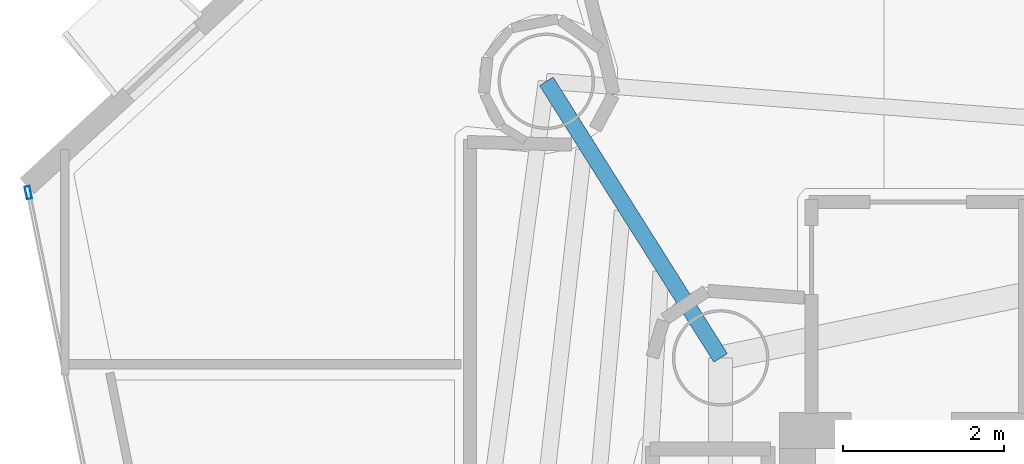
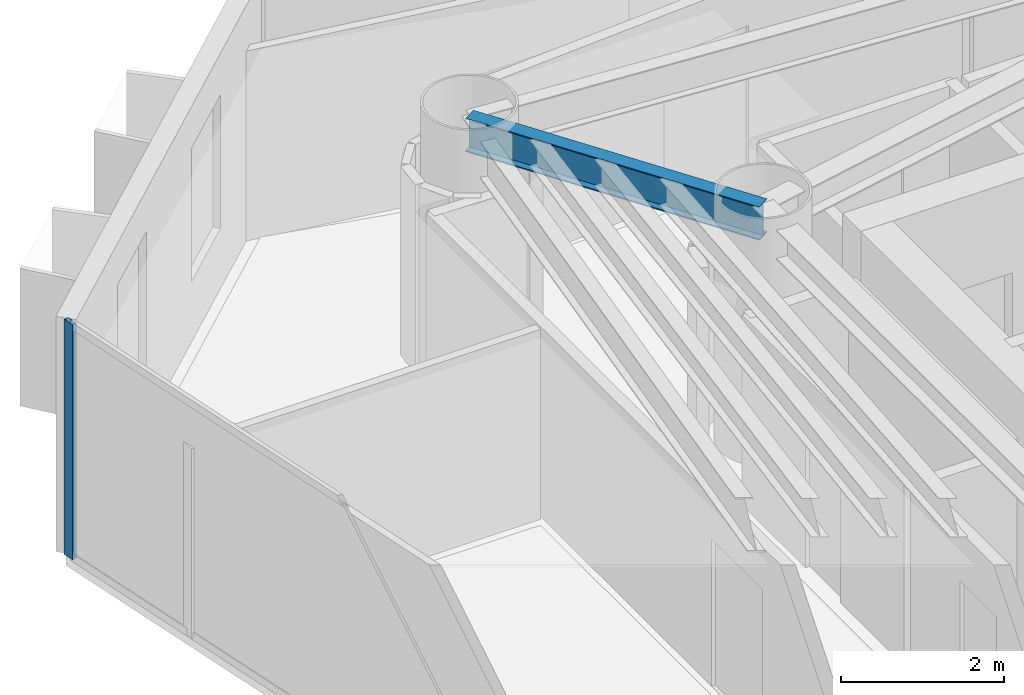
# One storey, part 10 of 22: 1 beam, 1 member, 1 element without a shape of its own.
"""IFC4 building model written with IfcOpenShell, lengths in metres."""

from ifc_helpers import new_model, si_unit, direction, frame, origin, origin_2d, place, context, subcontext, project, spatial, hollow_rectangle, i_section, extrude, material, layer, layer_set, material_profile, profile_set, type_object, element, aggregate, save


model = new_model("IFC4")

# Units and contexts
model_context = context("Model", 3, precision=1e-05, world=origin(), true_north=direction((0.0, 1.0)))
body_context = subcontext(model_context, "Body", "Model", "MODEL_VIEW")
ifc_project = project(units=[si_unit("LENGTHUNIT", "METRE"), si_unit("AREAUNIT", "SQUARE_METRE"), si_unit("VOLUMEUNIT", "CUBIC_METRE"), si_unit("PLANEANGLEUNIT", "RADIAN"), si_unit("MASSUNIT", "GRAM", prefix="KILO")], contexts=[model_context])

# Site, building, storey
site_placement = place(None, origin())
site = spatial("IfcSite", under=ifc_project, at=site_placement, CompositionType="ELEMENT")
building_placement = place(site_placement, origin())
building = spatial("IfcBuilding", under=site, at=building_placement, Name="Qianvela Tower", CompositionType="ELEMENT")
storey_placement = place(building_placement, frame((0.0, 0.0, 196.60009765625)))
storey = spatial("IfcBuildingStorey", under=building, at=storey_placement, Name="L50", CompositionType="ELEMENT", Elevation=196.60009765625)

# Beam
ifc_material_1 = material(Name="Steel Q355B", Category="steel")
ifc_material_profile_1 = material_profile(ifc_material_1, i_section(OverallWidth=0.199951171875, OverallDepth=0.5, WebThickness=0.010009765625, FlangeThickness=0.01611328125, at=origin_2d()), Name="HN500x200x10x16")
ifc_profile_set_1 = profile_set([ifc_material_profile_1], Name="Steel Q355B")
beam_type = type_object("IfcBeamType", Name="BM-HN500-GIRD", PredefinedType="BEAM", material=ifc_profile_set_1)
beam_placement = place(storey_placement, frame((28.60009765625, 33.550048828125, 3.267822265625), z_axis=(-0.533177693809, 0.846003278258, 0.0), x_axis=(-0.846003278258, -0.533177693809, 0.0)))
element("IfcBeam", 1, at=beam_placement, inside=storey, type_object=beam_type, Name="L50 Radial Primary Floor Girder 3", PredefinedType="BEAM", context=body_context, shape_type="SweptSolid", body=[
    extrude(i_section(OverallWidth=0.199951171875, OverallDepth=0.5, WebThickness=0.010009765625, FlangeThickness=0.01611328125, at=origin_2d()), origin(), (0.0, 0.0, 1.0), 4.068359375),
])

# Curtain wall, member
ifc_material_2 = material(Name="Anodised Architectural Aluminium and Low-E Glass", Category="aluminium")
ifc_layer = layer(ifc_material_2, 0.159912109375)
ifc_layer_set = layer_set([ifc_layer], Name="Anodised Architectural Aluminium and Low-E Glass")
curtain_wall_type = type_object("IfcCurtainWallType", Name="CW-COLIV-Z56", PredefinedType="USERDEFINED", material=ifc_layer_set)
curtain_wall_placement = place(storey_placement, origin())
curtain_wall = element("IfcCurtainWall", 2, at=curtain_wall_placement, inside=storey, type_object=curtain_wall_type, Name="L50 CW-COLIV-Z56 Curtain Wall 04A", ObjectType="CURTAIN_WALL_SYSTEM", PredefinedType="USERDEFINED")
ifc_material_3 = material(Name="Anodised Architectural Aluminium 6063-T6", Category="aluminium")
ifc_material_profile_2 = material_profile(ifc_material_3, hollow_rectangle(XDim=0.06494140625, YDim=0.159912109375, WallThickness=0.0048828125, at=origin_2d()), Name="ALU-MULL-65x160")
ifc_profile_set_2 = profile_set([ifc_material_profile_2], Name="Anodised Architectural Aluminium 6063-T6")
member_type = type_object("IfcMemberType", Name="CW-COLIV-Z56-MULL", PredefinedType="MULLION", material=ifc_profile_set_2)
member_placement = place(storey_placement, frame((19.986083984375, 35.607421875, 0.0), z_axis=(0.0, 0.0, 1.0), x_axis=(0.980407510802, 0.196979980613, 0.0)))
member = element("IfcMember", 3, at=member_placement, type_object=member_type, Name="CW-5 mullion 1", PredefinedType="MULLION", context=body_context, shape_type="SweptSolid", body=[
    extrude(hollow_rectangle(XDim=0.06494140625, YDim=0.159912109375, WallThickness=0.0048828125, at=origin_2d()), origin(), (0.0, 0.0, 1.0), 3.52001953125),
])
aggregate(curtain_wall, [member])

save(model, "model.ifc")
